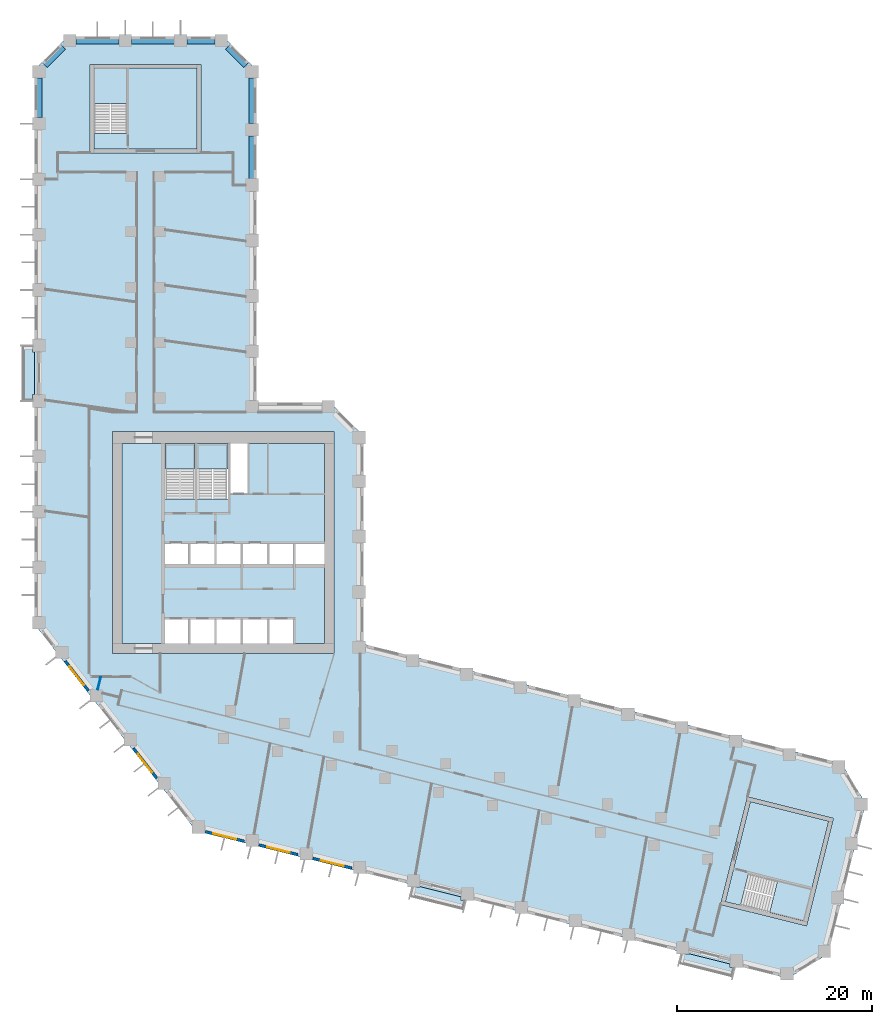
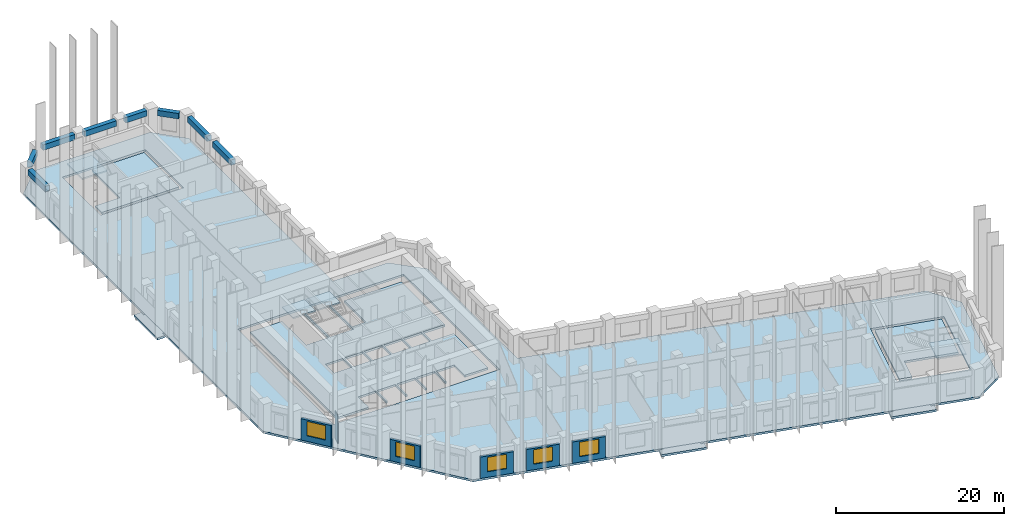
# One storey, part 2 of 10: 11 slabs, 8 beams, 6 walls, 5 windows, 5 openings, 4 elements without a shape of their own.
"""IFC4 building model written with IfcOpenShell, lengths in metres."""

from ifc_helpers import new_model, si_unit, direction, frame, frame_2d, origin, origin_2d, place, context, subcontext, project, spatial, polyline, rectangle, outline, extrude, material, layer, layer_set, material_profile, profile_set, type_object, element, fill, aggregate, save


model = new_model("IFC4")

# Units and contexts
model_context = context("Model", 3, precision=1e-05, world=origin(), true_north=direction((0.0, 1.0)))
body_context = subcontext(model_context, "Body", "Model", "MODEL_VIEW")
ifc_project = project(units=[si_unit("LENGTHUNIT", "METRE"), si_unit("AREAUNIT", "SQUARE_METRE"), si_unit("VOLUMEUNIT", "CUBIC_METRE"), si_unit("PLANEANGLEUNIT", "RADIAN"), si_unit("MASSUNIT", "GRAM", prefix="KILO")], contexts=[model_context])

# Site, building, storey
site_placement = place(None, origin())
site = spatial("IfcSite", under=ifc_project, at=site_placement, CompositionType="ELEMENT")
building_placement = place(site_placement, origin())
building = spatial("IfcBuilding", under=site, at=building_placement, Name="Meshkara Civic Tower", CompositionType="ELEMENT")
storey_placement = place(building_placement, frame((0.0, 0.0, 114.0)))
storey = spatial("IfcBuildingStorey", under=building, at=storey_placement, Name="L25", CompositionType="ELEMENT", Elevation=114.0)

# Beams
ifc_material_1 = material(Name="Concrete C70", Category="concrete")
ifc_material_profile = material_profile(ifc_material_1, rectangle(XDim=0.60009765625, YDim=0.800048828125, at=origin_2d()))
ifc_profile_set = profile_set([ifc_material_profile], Name="Concrete C70")
beam_type = type_object("IfcBeamType", Name="Spandrel beam RC 600x800 C70", PredefinedType="BEAM", material=ifc_profile_set)
beam_1_placement = place(storey_placement, frame((22.35009765625, 62.89501953125, 3.5), z_axis=(0.0, 1.0, 0.0), x_axis=(-1.0, 0.0, 0.0)))
element("IfcBeam", 1, at=beam_1_placement, inside=storey, type_object=beam_type, Name="Spandrel beam AE04-AE05", PredefinedType="BEAM", context=body_context, shape_type="SweptSolid", body=[
    extrude(rectangle(XDim=0.60009765625, YDim=0.800048828125, at=origin_2d()), origin(), (0.0, 0.0, 1.0), 4.409912109375),
])
beam_2_placement = place(storey_placement, frame((22.35009765625, 68.594970703125, 3.5), z_axis=(0.0, 1.0, 0.0), x_axis=(-1.0, 0.0, 0.0)))
element("IfcBeam", 2, at=beam_2_placement, inside=storey, type_object=beam_type, Name="Spandrel beam AE05-AEEP1", PredefinedType="BEAM", context=body_context, shape_type="SweptSolid", body=[
    extrude(rectangle(XDim=0.60009765625, YDim=0.800048828125, at=origin_2d()), origin(), (0.0, 0.0, 1.0), 4.674072265625),
])
beam_3_placement = place(storey_placement, frame((21.70361328125, 74.560546875, 3.5), z_axis=(-0.707106781187, 0.707106781187, 0.0), x_axis=(-0.707106781187, -0.707106781187, 0.0)))
element("IfcBeam", 3, at=beam_3_placement, inside=storey, type_object=beam_type, Name="Spandrel beam AEEP1-ATiEP1", PredefinedType="BEAM", context=body_context, shape_type="SweptSolid", body=[
    extrude(rectangle(XDim=0.60009765625, YDim=0.800048828125, at=origin_2d()), origin(), (0.0, 0.0, 1.0), 2.634765625),
])
beam_4_placement = place(storey_placement, frame((18.549072265625, 77.070068359375, 3.5), z_axis=(-1.0, 0.0, 0.0), x_axis=(0.0, -1.0, 0.0)))
element("IfcBeam", 4, at=beam_4_placement, inside=storey, type_object=beam_type, Name="Spandrel beam AT02-P1-ATiEP1", PredefinedType="BEAM", context=body_context, shape_type="SweptSolid", body=[
    extrude(rectangle(XDim=0.60009765625, YDim=0.800048828125, at=origin_2d()), origin(), (0.0, 0.0, 1.0), 2.898193359375),
])
beam_5_placement = place(storey_placement, frame((14.361083984375, 77.070068359375, 3.5), z_axis=(-1.0, 0.0, 0.0), x_axis=(0.0, -1.0, 0.0)))
element("IfcBeam", 5, at=beam_5_placement, inside=storey, type_object=beam_type, Name="Spandrel beam AT01-P1-AT02-P1", PredefinedType="BEAM", context=body_context, shape_type="SweptSolid", body=[
    extrude(rectangle(XDim=0.60009765625, YDim=0.800048828125, at=origin_2d()), origin(), (0.0, 0.0, 1.0), 4.41015625),
])
beam_6_placement = place(storey_placement, frame((8.660888671875, 77.070068359375, 3.5), z_axis=(-1.0, 0.0, 0.0), x_axis=(0.0, -1.0, 0.0)))
element("IfcBeam", 6, at=beam_6_placement, inside=storey, type_object=beam_type, Name="Spandrel beam AT00-P1-AT01-P1", PredefinedType="BEAM", context=body_context, shape_type="SweptSolid", body=[
    extrude(rectangle(XDim=0.60009765625, YDim=0.800048828125, at=origin_2d()), origin(), (0.0, 0.0, 1.0), 4.409912109375),
])
beam_7_placement = place(storey_placement, frame((2.95947265625, 76.423583984375, 3.5), z_axis=(-0.707106781187, -0.707106781187, 0.0), x_axis=(0.707106781187, -0.707106781187, 0.0)))
element("IfcBeam", 7, at=beam_7_placement, inside=storey, type_object=beam_type, Name="Spandrel beam AT00-P1-ATo00-P1", PredefinedType="BEAM", context=body_context, shape_type="SweptSolid", body=[
    extrude(rectangle(XDim=0.60009765625, YDim=0.800048828125, at=origin_2d()), origin(), (0.0, 0.0, 1.0), 2.634765625),
])
beam_8_placement = place(storey_placement, frame((0.449951171875, 73.26904296875, 3.5), z_axis=(0.0, -1.0, 0.0), x_axis=(1.0, 0.0, 0.0)))
element("IfcBeam", 8, at=beam_8_placement, inside=storey, type_object=beam_type, Name="Spandrel beam ATo00-P1-AW09", PredefinedType="BEAM", context=body_context, shape_type="SweptSolid", body=[
    extrude(rectangle(XDim=0.60009765625, YDim=0.800048828125, at=origin_2d()), origin(), (0.0, 0.0, 1.0), 4.069091796875),
])

# Slabs
ifc_material_2 = material(Name="Concrete C40", Category="concrete")
ifc_layer_1 = layer(ifc_material_2, 0.300048828125)
ifc_layer_set_1 = layer_set([ifc_layer_1], Name="BALCONY SLAB")
slab_type_1 = type_object("IfcSlabType", Name="BALCONY SLAB", PredefinedType="FLOOR", material=ifc_layer_set_1)
slab_1_placement = place(storey_placement, frame((0.0, 0.0, -0.300048828125)))
element("IfcSlab", 9, at=slab_1_placement, inside=storey, type_object=slab_type_1, Name="Balcony slab", PredefinedType="FLOOR", context=body_context, shape_type="SweptSolid", body=[
    extrude(outline(polyline([(-1.199951171875, 40.114990234375), (-1.199951171875, 45.695068359375), (-0.199951171875, 45.695068359375), (-0.199951171875, 45.10498046875), (0.0, 45.10498046875), (0.0, 40.705078125), (-0.199951171875, 40.705078125), (-0.199951171875, 40.114990234375), (-1.199951171875, 40.114990234375)])), origin(), (0.0, 0.0, 1.0), 0.300048828125),
])
slab_2_placement = place(storey_placement, frame((0.0, 0.0, -0.300048828125)))
element("IfcSlab", 10, at=slab_2_placement, inside=storey, type_object=slab_type_1, Name="Balcony slab", PredefinedType="FLOOR", context=body_context, shape_type="SweptSolid", body=[
    extrude(outline(polyline([(44.048095703125, -12.218994140625), (38.633056640625, -10.868896484375), (38.8740234375, -9.903076171875), (39.6240234375, -9.903076171875), (39.6240234375, -9.87890625), (43.85498046875, -10.93408203125), (43.85498046875, -11.281982421875), (44.281005859375, -11.281982421875), (44.048095703125, -12.218994140625)])), origin(), (0.0, 0.0, 1.0), 0.300048828125),
])
slab_3_placement = place(storey_placement, frame((0.0, 0.0, -0.300048828125)))
element("IfcSlab", 11, at=slab_3_placement, inside=storey, type_object=slab_type_1, Name="Balcony slab", PredefinedType="FLOOR", context=body_context, shape_type="SweptSolid", body=[
    extrude(outline(polyline([(71.700927734375, -19.113037109375), (66.285888671875, -17.762939453125), (66.527099609375, -16.798095703125), (67.277099609375, -16.798095703125), (67.277099609375, -16.77392578125), (71.508056640625, -17.8291015625), (71.508056640625, -18.177001953125), (71.93408203125, -18.177001953125), (71.700927734375, -19.113037109375)])), origin(), (0.0, 0.0, 1.0), 0.300048828125),
])
ifc_material_3 = material(Name="Concrete C40/50", Category="concrete")
ifc_layer_2 = layer(ifc_material_3, 0.300048828125)
ifc_layer_set_2 = layer_set([ifc_layer_2], Name="Core floor slab 300 C40/50")
slab_type_2 = type_object("IfcSlabType", Name="Core floor slab 300 C40/50", PredefinedType="FLOOR", material=ifc_layer_set_2)
slab_4_placement = place(storey_placement, frame((0.0, 0.0, -0.300048828125)))
element("IfcSlab", 12, at=slab_4_placement, inside=storey, type_object=slab_type_2, Name="Core floor K", PredefinedType="FLOOR", context=body_context, shape_type="SweptSolid", body=[
    extrude(outline(polyline([(9.0, 35.699951171875), (13.39990234375, 35.699951171875), (13.39990234375, 30.00146484375), (16.5, 30.00146484375), (16.5, 35.699951171875), (16.699951171875, 35.699951171875), (16.699951171875, 30.00146484375), (19.89990234375, 30.00146484375), (19.89990234375, 35.699951171875), (20.10009765625, 35.699951171875), (20.10009765625, 30.574951171875), (21.925048828125, 30.574951171875), (21.925048828125, 35.699951171875), (29.800048828125, 35.699951171875), (29.800048828125, 25.39990234375), (26.800048828125, 25.39990234375), (26.800048828125, 23.300048828125), (29.800048828125, 23.300048828125), (29.800048828125, 15.10009765625), (26.60009765625, 15.10009765625), (26.60009765625, 17.60009765625), (24.10009765625, 17.60009765625), (24.10009765625, 15.10009765625), (23.89990234375, 15.10009765625), (23.89990234375, 17.60009765625), (21.39990234375, 17.60009765625), (21.39990234375, 15.10009765625), (21.199951171875, 15.10009765625), (21.199951171875, 17.60009765625), (18.699951171875, 17.60009765625), (18.699951171875, 15.10009765625), (18.5, 15.10009765625), (18.5, 17.60009765625), (16.0, 17.60009765625), (16.0, 15.10009765625), (15.800048828125, 15.10009765625), (15.800048828125, 17.60009765625), (13.39990234375, 17.60009765625), (13.39990234375, 15.10009765625), (9.0, 15.10009765625), (9.0, 35.699951171875)]), holes=[polyline([(13.39990234375, 25.39990234375), (13.39990234375, 23.300048828125), (15.800048828125, 23.300048828125), (15.800048828125, 25.39990234375), (13.39990234375, 25.39990234375)]), polyline([(18.5, 23.300048828125), (18.5, 25.39990234375), (16.0, 25.39990234375), (16.0, 23.300048828125), (18.5, 23.300048828125)]), polyline([(18.699951171875, 25.39990234375), (18.699951171875, 23.300048828125), (21.199951171875, 23.300048828125), (21.199951171875, 25.39990234375), (18.699951171875, 25.39990234375)]), polyline([(21.39990234375, 23.300048828125), (23.89990234375, 23.300048828125), (23.89990234375, 25.39990234375), (21.39990234375, 25.39990234375), (21.39990234375, 23.300048828125)]), polyline([(26.60009765625, 25.39990234375), (24.10009765625, 25.39990234375), (24.10009765625, 23.300048828125), (26.60009765625, 23.300048828125), (26.60009765625, 25.39990234375)])]), origin(), (0.0, 0.0, 1.0), 0.300048828125),
])
slab_5_placement = place(storey_placement, frame((0.0, 0.0, -0.300048828125)))
element("IfcSlab", 13, at=slab_5_placement, inside=storey, type_object=slab_type_2, Name="Core floor EA", PredefinedType="FLOOR", context=body_context, shape_type="SweptSolid", body=[
    extrude(outline(polyline([(16.699951171875, 65.969970703125), (16.699951171875, 74.27001953125), (9.5, 74.27001953125), (9.5, 67.571533203125), (6.10009765625, 67.571533203125), (6.10009765625, 65.969970703125), (16.699951171875, 65.969970703125)])), origin(), (0.0, 0.0, 1.0), 0.300048828125),
])
slab_6_placement = place(storey_placement, frame((0.0, 0.0, -0.300048828125)))
element("IfcSlab", 14, at=slab_6_placement, inside=storey, type_object=slab_type_2, Name="Core floor EB", PredefinedType="FLOOR", context=body_context, shape_type="SweptSolid", body=[
    extrude(outline(polyline([(73.581298828125, -1.134521484375), (81.634521484375, -3.142578125), (79.892822265625, -10.128662109375), (73.393310546875, -8.508056640625), (72.57080078125, -11.80712890625), (71.016845703125, -11.419677734375), (73.581298828125, -1.134521484375)])), origin(), (0.0, 0.0, 1.0), 0.300048828125),
])

# Stair, slab
ifc_material_4 = material(Name="Precast concrete C40/50", Category="concrete")
stair_type_1 = type_object("IfcStairType", Name="Exit stair half-turn 24 risers precast", PredefinedType="HALF_TURN_STAIR", material=ifc_material_4)
stair_1_placement = place(storey_placement, origin())
stair_1 = element("IfcStair", 15, at=stair_1_placement, inside=storey, type_object=stair_type_1, Name="L25 exit stair 1", PredefinedType="HALF_TURN_STAIR")
ifc_material_5 = material(Name="Precast concrete C40/50", Category="concrete")
ifc_layer_3 = layer(ifc_material_5, 0.199951171875)
ifc_layer_set_3 = layer_set([ifc_layer_3], Name="Exit stair landing 200")
slab_type_3 = type_object("IfcSlabType", Name="Exit stair landing 200", PredefinedType="LANDING", material=ifc_layer_set_3)
slab_7_placement = place(storey_placement, frame((0.0, 0.0, 1.89990234375)))
slab_7 = element("IfcSlab", 16, at=slab_7_placement, type_object=slab_type_3, Name="ST1 landing 1", PredefinedType="LANDING", context=body_context, shape_type="SweptSolid", body=[
    extrude(outline(polyline([(16.5, 33.07861328125), (16.5, 35.699951171875), (13.39990234375, 35.699951171875), (13.39990234375, 33.07861328125), (16.5, 33.07861328125)])), origin(), (0.0, 0.0, 1.0), 0.2001953125),
])
aggregate(stair_1, [slab_7])

stair_2_placement = place(storey_placement, origin())
stair_2 = element("IfcStair", 17, at=stair_2_placement, inside=storey, type_object=stair_type_1, Name="L25 exit stair 2", PredefinedType="HALF_TURN_STAIR")
slab_8_placement = place(storey_placement, frame((0.0, 0.0, 1.89990234375)))
slab_8 = element("IfcSlab", 18, at=slab_8_placement, type_object=slab_type_3, Name="ST2 landing 1", PredefinedType="LANDING", context=body_context, shape_type="SweptSolid", body=[
    extrude(outline(polyline([(19.89990234375, 33.07861328125), (19.89990234375, 35.699951171875), (16.699951171875, 35.699951171875), (16.699951171875, 33.07861328125), (19.89990234375, 33.07861328125)])), origin(), (0.0, 0.0, 1.0), 0.2001953125),
])
aggregate(stair_2, [slab_8])

ifc_material_6 = material(Name="Precast concrete C40/50", Category="concrete")
stair_type_2 = type_object("IfcStairType", Name="Exit stair half-turn 24 risers 1600 precast", PredefinedType="HALF_TURN_STAIR", material=ifc_material_6)
stair_3_placement = place(storey_placement, origin())
stair_3 = element("IfcStair", 19, at=stair_3_placement, inside=storey, type_object=stair_type_2, Name="L25 exit stair A from L20", PredefinedType="HALF_TURN_STAIR")
slab_9_placement = place(storey_placement, frame((0.0, 0.0, 1.89990234375)))
slab_9 = element("IfcSlab", 20, at=slab_9_placement, type_object=slab_type_3, Name="ESA2 landing 1", PredefinedType="LANDING", context=body_context, shape_type="SweptSolid", body=[
    extrude(outline(polyline([(9.5, 70.6484375), (9.5, 74.27001953125), (6.10009765625, 74.27001953125), (6.10009765625, 70.6484375), (9.5, 70.6484375)])), origin(), (0.0, 0.0, 1.0), 0.2001953125),
])
aggregate(stair_3, [slab_9])

stair_4_placement = place(storey_placement, origin())
stair_4 = element("IfcStair", 21, at=stair_4_placement, inside=storey, type_object=stair_type_2, Name="L25 exit stair B from L20", PredefinedType="HALF_TURN_STAIR")
slab_10_placement = place(storey_placement, frame((0.0, 0.0, 1.89990234375)))
slab_10 = element("IfcSlab", 22, at=slab_10_placement, type_object=slab_type_3, Name="ESB2 landing 1", PredefinedType="LANDING", context=body_context, shape_type="SweptSolid", body=[
    extrude(outline(polyline([(75.5556640625, -12.55224609375), (79.06982421875, -13.428955078125), (79.89306640625, -10.12890625), (76.379150390625, -9.25244140625), (75.5556640625, -12.55224609375)])), origin(), (0.0, 0.0, 1.0), 0.2001953125),
])
aggregate(stair_4, [slab_10])

# Slab
ifc_material_7 = material(Name="Concrete C50", Category="concrete")
ifc_layer_4 = layer(ifc_material_7, 0.300048828125)
ifc_layer_set_4 = layer_set([ifc_layer_4], Name="Post-tensioned flat slab 300 C50")
slab_type_4 = type_object("IfcSlabType", Name="Post-tensioned flat slab 300 C50", PredefinedType="FLOOR", material=ifc_layer_set_4)
slab_11_placement = place(storey_placement, frame((0.0, 0.0, -0.300048828125)))
element("IfcSlab", 23, at=slab_11_placement, inside=storey, type_object=slab_type_4, Name="Post-tensioned flat slab L25", PredefinedType="FLOOR", context=body_context, shape_type="SweptSolid", body=[
    extrude(outline(polyline([(81.574951171875, -16.81396484375), (77.429931640625, -19.304931640625), (16.592041015625, -4.136962890625), (0.0, 17.10009765625), (0.0, 74.10009765625), (3.419921875, 77.52001953125), (19.3798828125, 77.52001953125), (22.800048828125, 74.10009765625), (22.800048828125, 39.89990234375), (30.3798828125, 39.89990234375), (33.800048828125, 36.47998046875), (33.800048828125, 15.071044921875), (82.945068359375, 2.81689453125), (85.43603515625, -1.327880859375), (81.574951171875, -16.81396484375)]), holes=[polyline([(79.362060546875, -13.9130859375), (82.1201171875, -2.85107421875), (73.2900390625, -0.64990234375), (70.531982421875, -11.7109375), (79.362060546875, -13.9130859375)]), polyline([(8.0, 14.10009765625), (30.800048828125, 14.10009765625), (30.800048828125, 36.89990234375), (8.0, 36.89990234375), (8.0, 14.10009765625)]), polyline([(5.699951171875, 74.669921875), (5.699951171875, 65.570068359375), (17.10009765625, 65.570068359375), (17.10009765625, 74.669921875), (5.699951171875, 74.669921875)])]), origin(), (0.0, 0.0, 1.0), 0.300048828125),
])

# Wall, opening, window
ifc_material_8 = material(Name="Insulated infill panel with bronze anodised aluminium cladding", Category="aluminium")
ifc_layer_5 = layer(ifc_material_8, 0.300048828125)
ifc_layer_set_5 = layer_set([ifc_layer_5], Name="EXTERNAL INFILL WALL 300")
wall_type_1 = type_object("IfcWallType", Name="EXTERNAL INFILL WALL 300", PredefinedType="SOLIDWALL", material=ifc_layer_set_5)
wall_1_placement = place(storey_placement, frame((3.138916015625, 13.324951171875, 0.0), z_axis=(0.0, 0.0, 1.0), x_axis=(0.615779754703, -0.787918329332, 0.0)))
wall_1 = element("IfcWall", 24, at=wall_1_placement, inside=storey, type_object=wall_type_1, Name="External wall", PredefinedType="SOLIDWALL", context=body_context, shape_type="SweptSolid", body=[
    extrude(rectangle(XDim=3.874755859375, YDim=0.300048828125, at=frame_2d((1.9375, 0.0))), origin(), (0.0, 0.0, 1.0), 3.10009765625),
])
opening_1_placement = place(wall_1_placement, frame((0.738037109375, 0.0, 0.800048828125)))
opening_1 = element("IfcOpeningElement", 25, at=opening_1_placement, cuts=wall_1, Name="Opening W7", PredefinedType="OPENING", context=body_context, shape_type="SweptSolid", body=[
    extrude(rectangle(XDim=2.39990234375, YDim=2.10009765625, at=frame_2d((1.199951171875, 1.050048828125))), frame((0.0, 0.159912109375, 0.0), z_axis=(0.0, -1.0, 0.0), x_axis=(1.0, 0.0, 0.0)), (0.0, 0.0, 1.0), 0.320068359375),
])
ifc_material_9 = material(Name="Tinted double glazing", Category="glass")
window_type = type_object("IfcWindowType", Name="WINDOW 2400x2100", PartitioningType="DOUBLE_PANEL_VERTICAL", PredefinedType="WINDOW", material=ifc_material_9)
window_1_placement = place(opening_1_placement, origin())
window_1 = element("IfcWindow", 26, at=window_1_placement, inside=storey, type_object=window_type, Name="Window", OverallHeight=2.10009765625, OverallWidth=2.39990234375, PartitioningType="DOUBLE_PANEL_VERTICAL", PredefinedType="WINDOW", context=body_context, shape_type="SweptSolid", body=[
    extrude(rectangle(XDim=2.39990234375, YDim=2.10009765625, at=frame_2d((1.199951171875, 1.050048828125))), frame((0.0, 0.030029296875, 0.0), z_axis=(0.0, -1.0, 0.0), x_axis=(1.0, 0.0, 0.0)), (0.0, 0.0, 1.0), 0.06005859375),
])
fill(opening_1, window_1)

wall_2_placement = place(storey_placement, frame((10.157958984375, 4.341064453125, 0.0), z_axis=(0.0, 0.0, 1.0), x_axis=(0.615779754703, -0.787918329332, 0.0)))
wall_2 = element("IfcWall", 27, at=wall_2_placement, inside=storey, type_object=wall_type_1, Name="External wall", PredefinedType="SOLIDWALL", context=body_context, shape_type="SweptSolid", body=[
    extrude(rectangle(XDim=3.874755859375, YDim=0.300048828125, at=frame_2d((1.9375, 0.0))), origin(), (0.0, 0.0, 1.0), 3.10009765625),
])
opening_2_placement = place(wall_2_placement, frame((0.737060546875, 0.0, 0.800048828125)))
opening_2 = element("IfcOpeningElement", 28, at=opening_2_placement, cuts=wall_2, Name="Opening W7", PredefinedType="OPENING", context=body_context, shape_type="SweptSolid", body=[
    extrude(rectangle(XDim=2.39990234375, YDim=2.10009765625, at=frame_2d((1.199951171875, 1.050048828125))), frame((0.0, 0.159912109375, 0.0), z_axis=(0.0, -1.0, 0.0), x_axis=(1.0, 0.0, 0.0)), (0.0, 0.0, 1.0), 0.320068359375),
])
window_2_placement = place(opening_2_placement, origin())
window_2 = element("IfcWindow", 29, at=window_2_placement, inside=storey, type_object=window_type, Name="Window", OverallHeight=2.10009765625, OverallWidth=2.39990234375, PartitioningType="DOUBLE_PANEL_VERTICAL", PredefinedType="WINDOW", context=body_context, shape_type="SweptSolid", body=[
    extrude(rectangle(XDim=2.39990234375, YDim=2.10009765625, at=frame_2d((1.199951171875, 1.050048828125))), frame((0.0, 0.030029296875, 0.0), z_axis=(0.0, -1.0, 0.0), x_axis=(1.0, 0.0, 0.0)), (0.0, 0.0, 1.0), 0.06005859375),
])
fill(opening_2, window_2)

wall_3_placement = place(storey_placement, frame((17.54296875, -4.219970703125, 0.0), z_axis=(0.0, 0.0, 1.0), x_axis=(0.970337184445, -0.241755555227, 0.0)))
wall_3 = element("IfcWall", 30, at=wall_3_placement, inside=storey, type_object=wall_type_1, Name="External wall", PredefinedType="SOLIDWALL", context=body_context, shape_type="SweptSolid", body=[
    extrude(rectangle(XDim=4.124267578125, YDim=0.300048828125, at=frame_2d((2.06201171875, 0.0))), origin(), (0.0, 0.0, 1.0), 3.10009765625),
])
opening_3_placement = place(wall_3_placement, frame((0.862060546875, 0.0, 0.800048828125)))
opening_3 = element("IfcOpeningElement", 31, at=opening_3_placement, cuts=wall_3, Name="Opening W7", PredefinedType="OPENING", context=body_context, shape_type="SweptSolid", body=[
    extrude(rectangle(XDim=2.39990234375, YDim=2.10009765625, at=frame_2d((1.199951171875, 1.050048828125))), frame((0.0, 0.159912109375, 0.0), z_axis=(0.0, -1.0, 0.0), x_axis=(1.0, 0.0, 0.0)), (0.0, 0.0, 1.0), 0.320068359375),
])
window_3_placement = place(opening_3_placement, origin())
window_3 = element("IfcWindow", 32, at=window_3_placement, inside=storey, type_object=window_type, Name="Window", OverallHeight=2.10009765625, OverallWidth=2.39990234375, PartitioningType="DOUBLE_PANEL_VERTICAL", PredefinedType="WINDOW", context=body_context, shape_type="SweptSolid", body=[
    extrude(rectangle(XDim=2.39990234375, YDim=2.10009765625, at=frame_2d((1.199951171875, 1.050048828125))), frame((0.0, 0.030029296875, 0.0), z_axis=(0.0, -1.0, 0.0), x_axis=(1.0, 0.0, 0.0)), (0.0, 0.0, 1.0), 0.06005859375),
])
fill(opening_3, window_3)

wall_4_placement = place(storey_placement, frame((23.073974609375, -5.597900390625, 0.0), z_axis=(0.0, 0.0, 1.0), x_axis=(0.970267747908, -0.242034083076, 0.0)))
wall_4 = element("IfcWall", 33, at=wall_4_placement, inside=storey, type_object=wall_type_1, Name="External wall", PredefinedType="SOLIDWALL", context=body_context, shape_type="SweptSolid", body=[
    extrude(rectangle(XDim=4.12353515625, YDim=0.300048828125, at=frame_2d((2.061767578125, 0.0))), origin(), (0.0, 0.0, 1.0), 3.10009765625),
])
opening_4_placement = place(wall_4_placement, frame((0.862060546875, 0.0, 0.800048828125)))
opening_4 = element("IfcOpeningElement", 34, at=opening_4_placement, cuts=wall_4, Name="Opening W7", PredefinedType="OPENING", context=body_context, shape_type="SweptSolid", body=[
    extrude(rectangle(XDim=2.39990234375, YDim=2.10009765625, at=frame_2d((1.199951171875, 1.050048828125))), frame((0.0, 0.159912109375, 0.0), z_axis=(0.0, -1.0, 0.0), x_axis=(1.0, 0.0, 0.0)), (0.0, 0.0, 1.0), 0.320068359375),
])
window_4_placement = place(opening_4_placement, origin())
window_4 = element("IfcWindow", 35, at=window_4_placement, inside=storey, type_object=window_type, Name="Window", OverallHeight=2.10009765625, OverallWidth=2.39990234375, PartitioningType="DOUBLE_PANEL_VERTICAL", PredefinedType="WINDOW", context=body_context, shape_type="SweptSolid", body=[
    extrude(rectangle(XDim=2.39990234375, YDim=2.10009765625, at=frame_2d((1.199951171875, 1.050048828125))), frame((0.0, 0.030029296875, 0.0), z_axis=(0.0, -1.0, 0.0), x_axis=(1.0, 0.0, 0.0)), (0.0, 0.0, 1.0), 0.06005859375),
])
fill(opening_4, window_4)

wall_5_placement = place(storey_placement, frame((28.60400390625, -6.97705078125, 0.0), z_axis=(0.0, 0.0, 1.0), x_axis=(0.970281616392, -0.241978480223, 0.0)))
wall_5 = element("IfcWall", 36, at=wall_5_placement, inside=storey, type_object=wall_type_1, Name="External wall", PredefinedType="SOLIDWALL", context=body_context, shape_type="SweptSolid", body=[
    extrude(rectangle(XDim=4.12451171875, YDim=0.300048828125, at=frame_2d((2.062255859375, 0.0))), origin(), (0.0, 0.0, 1.0), 3.10009765625),
])
opening_5_placement = place(wall_5_placement, frame((0.862060546875, 0.0, 0.800048828125)))
opening_5 = element("IfcOpeningElement", 37, at=opening_5_placement, cuts=wall_5, Name="Opening W7", PredefinedType="OPENING", context=body_context, shape_type="SweptSolid", body=[
    extrude(rectangle(XDim=2.39990234375, YDim=2.10009765625, at=frame_2d((1.199951171875, 1.050048828125))), frame((0.0, 0.159912109375, 0.0), z_axis=(0.0, -1.0, 0.0), x_axis=(1.0, 0.0, 0.0)), (0.0, 0.0, 1.0), 0.320068359375),
])
window_5_placement = place(opening_5_placement, origin())
window_5 = element("IfcWindow", 38, at=window_5_placement, inside=storey, type_object=window_type, Name="Window", OverallHeight=2.10009765625, OverallWidth=2.39990234375, PartitioningType="DOUBLE_PANEL_VERTICAL", PredefinedType="WINDOW", context=body_context, shape_type="SweptSolid", body=[
    extrude(rectangle(XDim=2.39990234375, YDim=2.10009765625, at=frame_2d((1.199951171875, 1.050048828125))), frame((0.0, 0.030029296875, 0.0), z_axis=(0.0, -1.0, 0.0), x_axis=(1.0, 0.0, 0.0)), (0.0, 0.0, 1.0), 0.06005859375),
])
fill(opening_5, window_5)

# Wall
ifc_material_10 = material(Name="Partition 100")
ifc_layer_6 = layer(ifc_material_10, 0.10009765625)
ifc_layer_set_6 = layer_set([ifc_layer_6], Name="Partition 100")
wall_type_2 = type_object("IfcWallType", Name="Partition 100", PredefinedType="PARTITIONING", material=ifc_layer_set_6)
wall_6_placement = place(storey_placement, frame((6.797119140625, 11.637939453125, 0.0), z_axis=(0.0, 0.0, 1.0), x_axis=(-0.242000927221, -0.970276018061, 0.0)))
element("IfcWall", 39, at=wall_6_placement, inside=storey, type_object=wall_type_2, Name="L25-W033", PredefinedType="PARTITIONING", context=body_context, shape_type="SweptSolid", body=[
    extrude(rectangle(XDim=1.289306640625, YDim=0.10009765625, at=frame_2d((0.64453125, 0.0))), origin(), (0.0, 0.0, 1.0), 3.89990234375),
])

save(model, "model.ifc")
